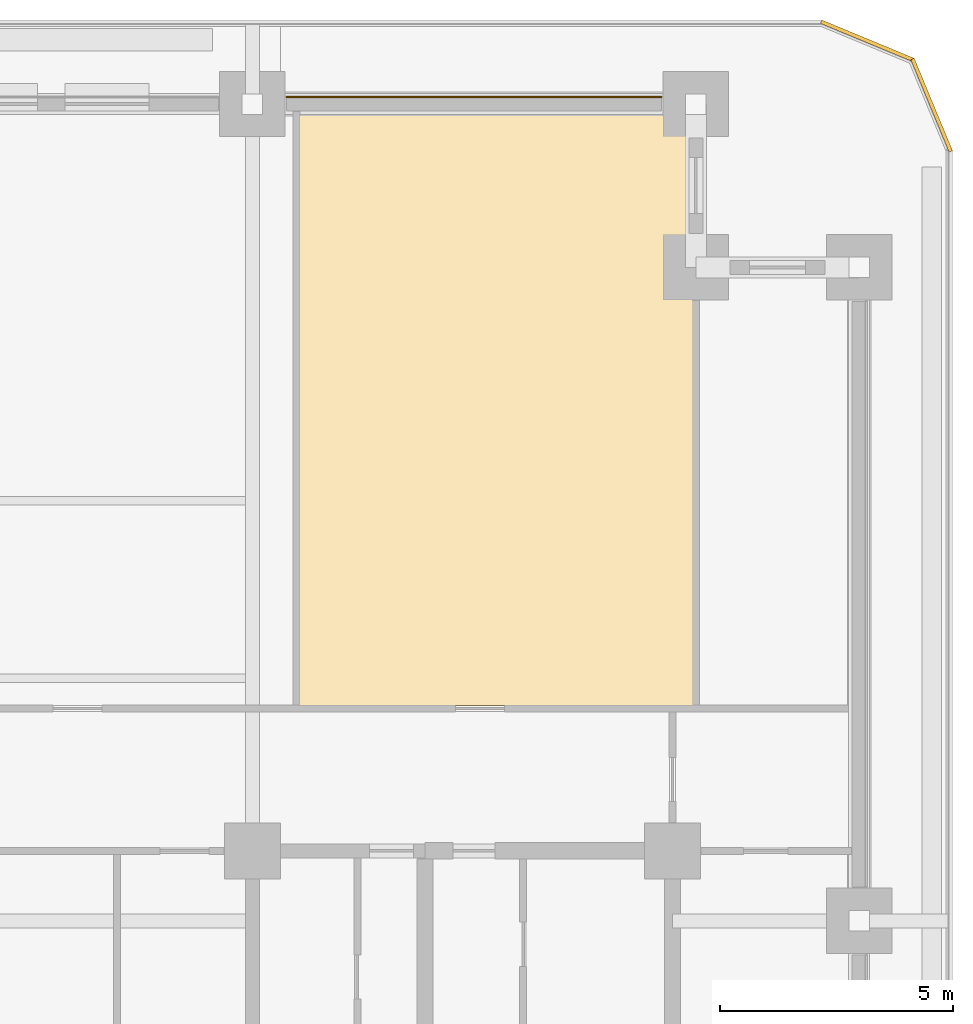
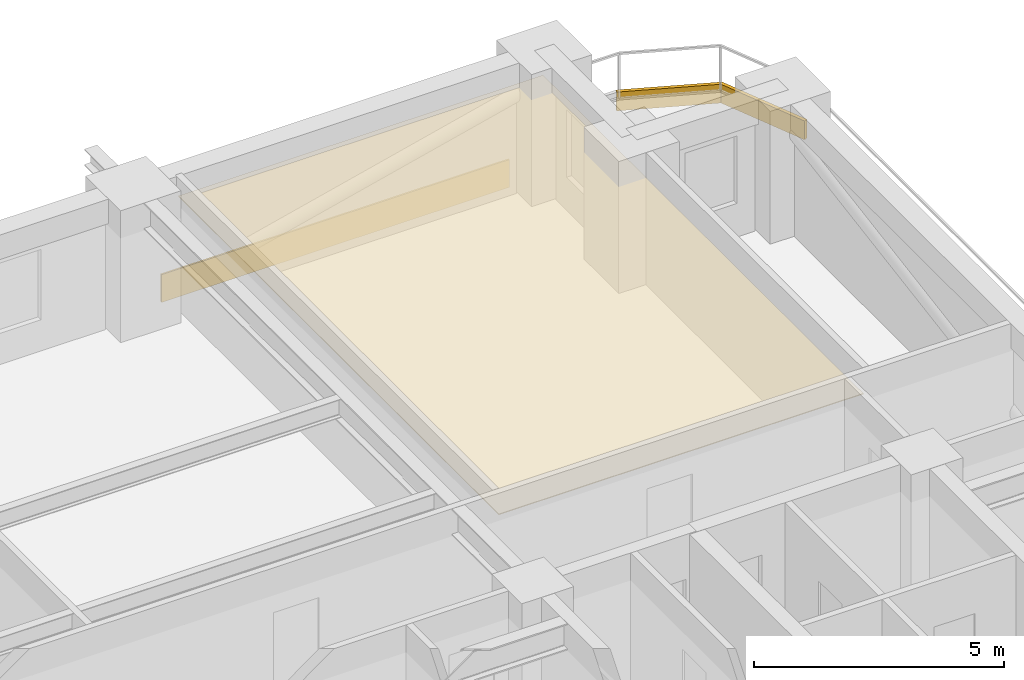
# One storey, part 16 of 16: 4 coverings.
"""IFC4 building model written with IfcOpenShell, lengths in metres."""

from ifc_helpers import new_model, si_unit, direction, frame, frame_2d, origin, place, context, subcontext, project, spatial, polyline, rectangle, outline, extrude, material, layer, layer_set, type_object, element, save


model = new_model("IFC4")

# Units and contexts
model_context = context("Model", 3, precision=1e-05, world=origin(), true_north=direction((0.0, 1.0)))
body_context = subcontext(model_context, "Body", "Model", "MODEL_VIEW")
ifc_project = project(units=[si_unit("LENGTHUNIT", "METRE"), si_unit("AREAUNIT", "SQUARE_METRE"), si_unit("VOLUMEUNIT", "CUBIC_METRE"), si_unit("PLANEANGLEUNIT", "RADIAN"), si_unit("MASSUNIT", "GRAM", prefix="KILO")], contexts=[model_context])

# Site, building, storey
site_placement = place(None, origin())
site = spatial("IfcSite", under=ifc_project, at=site_placement, CompositionType="ELEMENT")
building_placement = place(site_placement, origin())
building = spatial("IfcBuilding", under=site, at=building_placement, Name="Zulmaris Gate Convention Tower", CompositionType="ELEMENT")
storey_placement = place(building_placement, frame((0.0, 0.0, 67.89990234375)))
storey = spatial("IfcBuildingStorey", under=building, at=storey_placement, Name="L16", CompositionType="ELEMENT", Elevation=67.89990234375)

# Coverings
ifc_material_1 = material(Name="Precast concrete C40/50", Category="concrete")
ifc_layer_1 = layer(ifc_material_1, 0.0400390625, Name="Precast concrete C40/50")
ifc_layer_set_1 = layer_set([ifc_layer_1], Name="Precast concrete C40/50")
covering_type_1 = type_object("IfcCoveringType", Name="CLAD-SPANDREL-PRECAST", PredefinedType="CLADDING", material=ifc_layer_set_1)
covering_1_placement = place(storey_placement, frame((19.77001953125, 26.64990234375, 0.0), z_axis=(0.0, 0.0, 1.0), x_axis=(-1.0, 0.0, 0.0)))
element("IfcCovering", 1, at=covering_1_placement, inside=storey, type_object=covering_type_1, Name="CLD-L16-N-3_0", PredefinedType="CLADDING", context=body_context, shape_type="SweptSolid", body=[
    extrude(rectangle(XDim=8.0400390625, YDim=0.0400390625, at=frame_2d((4.02001953125, 0.0))), origin(), (0.0, 0.0, 1.0), 0.679931640625),
])
ifc_material_2 = material(Name="White Glazed Architectural Precast Concrete C40/50", Category="concrete")
ifc_layer_2 = layer(ifc_material_2, 0.080078125, Name="White Glazed Architectural Precast Concrete C40/50")
ifc_layer_set_2 = layer_set([ifc_layer_2], Name="White Glazed Architectural Precast Concrete C40/50")
covering_type_2 = type_object("IfcCoveringType", Name="CLAD-TRAY-FASCIA", PredefinedType="CLADDING", material=ifc_layer_set_2)
covering_2_placement = place(storey_placement, frame((25.962890625, 25.484619140625, -0.2900390625), z_axis=(0.0, 0.0, 1.0), x_axis=(-0.382656984709, 0.923890487046, 0.0)))
element("IfcCovering", 2, at=covering_2_placement, inside=storey, type_object=covering_type_2, Name="FSC-L16-TR-06", PredefinedType="CLADDING", context=body_context, shape_type="SweptSolid", body=[
    extrude(rectangle(XDim=2.14306640625, YDim=0.080078125, at=frame_2d((1.071533203125, 0.0))), origin(), (0.0, 0.0, 1.0), 0.4599609375),
])
covering_3_placement = place(storey_placement, frame((25.16455078125, 27.44287109375, -0.2900390625), z_axis=(0.0, 0.0, 1.0), x_axis=(-0.923873803533, 0.382697263049, 0.0)))
element("IfcCovering", 3, at=covering_3_placement, inside=storey, type_object=covering_type_2, Name="FSC-L16-TR-07", PredefinedType="CLADDING", context=body_context, shape_type="SweptSolid", body=[
    extrude(rectangle(XDim=2.142822265625, YDim=0.080078125, at=frame_2d((1.0712890625, 0.0))), origin(), (0.0, 0.0, 1.0), 0.4599609375),
])
ifc_material_3 = material(Name="Mineral Fibre Acoustic Ceiling Tile")
ifc_layer_3 = layer(ifc_material_3, 0.02001953125, Name="Mineral Fibre Acoustic Ceiling Tile")
ifc_layer_set_3 = layer_set([ifc_layer_3], Name="Mineral Fibre Acoustic Ceiling Tile")
covering_type_3 = type_object("IfcCoveringType", Name="CLG-ACOUSTIC-600", PredefinedType="CEILING", material=ifc_layer_set_3)
covering_4_placement = place(storey_placement, frame((0.0, 0.0, 2.60498046875)))
element("IfcCovering", 4, at=covering_4_placement, inside=storey, type_object=covering_type_3, Name="CLG-L16-R39", PredefinedType="CEILING", context=body_context, shape_type="SweptSolid", body=[
    extrude(outline(polyline([(12.010009765625, 13.610107421875), (20.43994140625, 13.610107421875), (20.43994140625, 26.43994140625), (12.010009765625, 26.43994140625), (12.010009765625, 13.610107421875)])), origin(), (0.0, 0.0, 1.0), 0.02001953125),
])

save(model, "model.ifc")
